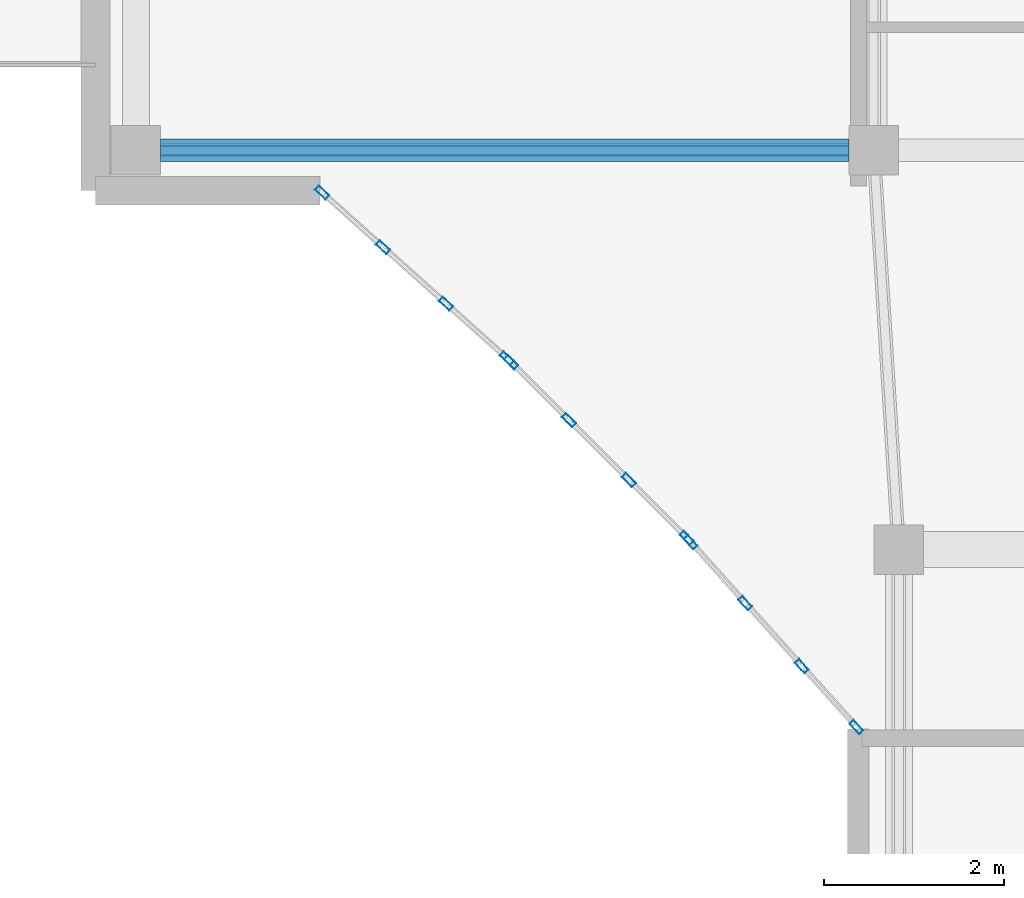
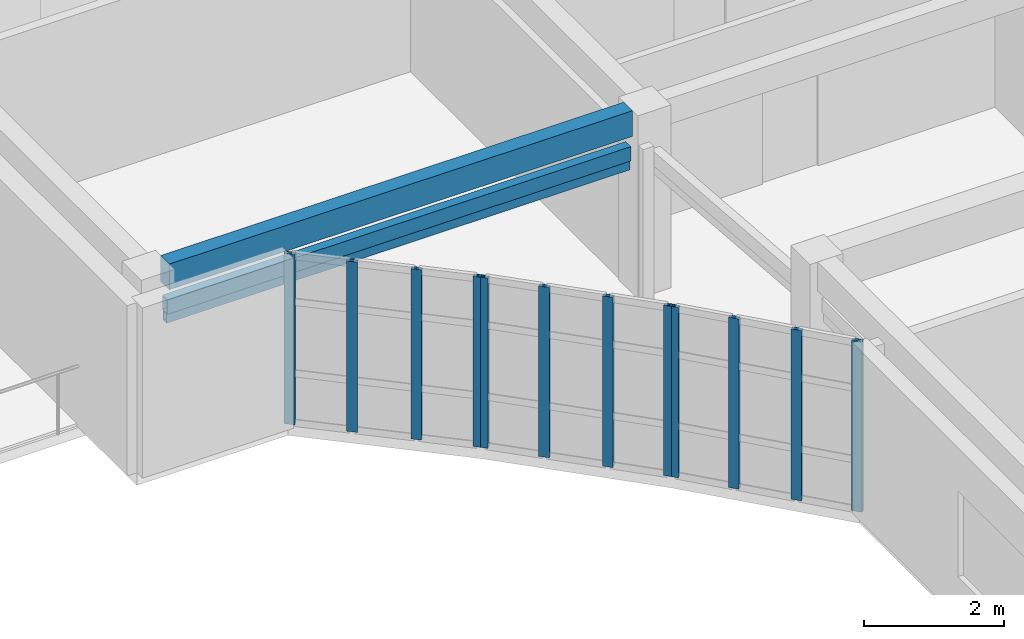
# One storey, part 4 of 54: 14 members, 1 beam, 3 elements without a shape of their own.
"""IFC4 building model written with IfcOpenShell, lengths in metres."""

from ifc_helpers import new_model, si_unit, direction, frame, origin, origin_2d, place, context, subcontext, project, spatial, rectangle, hollow_rectangle, extrude, material, layer, layer_set, material_profile, profile_set, type_object, element, aggregate, save


model = new_model("IFC4")

# Units and contexts
model_context = context("Model", 3, precision=1e-05, world=origin(), true_north=direction((0.0, 1.0)))
body_context = subcontext(model_context, "Body", "Model", "MODEL_VIEW")
ifc_project = project(units=[si_unit("LENGTHUNIT", "METRE"), si_unit("AREAUNIT", "SQUARE_METRE"), si_unit("VOLUMEUNIT", "CUBIC_METRE"), si_unit("PLANEANGLEUNIT", "RADIAN"), si_unit("MASSUNIT", "GRAM", prefix="KILO")], contexts=[model_context])

# Site, building, storey
site_placement = place(None, origin())
site = spatial("IfcSite", under=ifc_project, at=site_placement, CompositionType="ELEMENT")
building_placement = place(site_placement, origin())
building = spatial("IfcBuilding", under=site, at=building_placement, Name="Keldmere Railside Commons", CompositionType="ELEMENT")
storey_placement = place(building_placement, frame((0.0, 0.0, 26.56005859375)))
storey = spatial("IfcBuildingStorey", under=building, at=storey_placement, Name="L08", CompositionType="ELEMENT", Elevation=26.56005859375)

# Member
ifc_material_1 = material(Name="Steel F-36 (S355)", Category="steel")
ifc_material_profile_1 = material_profile(ifc_material_1, hollow_rectangle(XDim=0.14990234375, YDim=0.25, WallThickness=0.010009765625, at=origin_2d()), Name="RHS-250x150x10")
ifc_profile_set_1 = profile_set([ifc_material_profile_1], Name="Steel F-36 (S355)")
member_type_1 = type_object("IfcMemberType", Name="Balcony Continuous Planted Trough RHS250x150", PredefinedType="CHORD", material=ifc_profile_set_1)
member_1_placement = place(storey_placement, frame((40.22509765625, 100.449951171875, 2.4150390625), z_axis=(1.0, 0.0, 0.0), x_axis=(0.0, 1.0, 0.0)))
element("IfcMember", 1, at=member_1_placement, inside=storey, type_object=member_type_1, Name="PLT-1 MEM-BPLT-0869", PredefinedType="CHORD", context=body_context, shape_type="SweptSolid", body=[
    extrude(hollow_rectangle(XDim=0.14990234375, YDim=0.25, WallThickness=0.010009765625, at=origin_2d()), origin(), (0.0, 0.0, 1.0), 7.669921875),
])

# Beam
ifc_material_2 = material(Name="Architectural Precast Concrete H-35 (C35/45)", Category="concrete")
ifc_material_profile_2 = material_profile(ifc_material_2, rectangle(XDim=0.25, YDim=0.449951171875, at=origin_2d()), Name="RC-250x450")
ifc_profile_set_2 = profile_set([ifc_material_profile_2], Name="Architectural Precast Concrete H-35 (C35/45)")
beam_type = type_object("IfcBeamType", Name="Perimeter Precast Spandrel Beam 250x450", PredefinedType="SPANDREL", material=ifc_profile_set_2)
beam_placement = place(storey_placement, frame((40.22509765625, 100.449951171875, 2.974853515625), z_axis=(1.0, 0.0, 0.0), x_axis=(0.0, 1.0, 0.0)))
element("IfcBeam", 2, at=beam_placement, inside=storey, type_object=beam_type, Name="SPB-1 BM-L08-2190", PredefinedType="SPANDREL", context=body_context, shape_type="SweptSolid", body=[
    extrude(rectangle(XDim=0.25, YDim=0.449951171875, at=origin_2d()), origin(), (0.0, 0.0, 1.0), 7.669921875),
])

# Member
ifc_material_profile_3 = material_profile(ifc_material_1, hollow_rectangle(XDim=0.10009765625, YDim=0.159912109375, WallThickness=0.008056640625, at=origin_2d()), Name="RHS-160x100x8")
ifc_profile_set_3 = profile_set([ifc_material_profile_3], Name="Steel F-36 (S355)")
member_type_2 = type_object("IfcMemberType", Name="Solar Brise-Soleil Louvre Fin RHS160x100", PredefinedType="STRUT", material=ifc_profile_set_3)
member_2_placement = place(storey_placement, frame((40.22509765625, 100.449951171875, 2.199951171875), z_axis=(1.0, 0.0, 0.0), x_axis=(0.0, 1.0, 0.0)))
element("IfcMember", 3, at=member_2_placement, inside=storey, type_object=member_type_2, Name="BSF-1 MEM-BSF-0870", PredefinedType="STRUT", context=body_context, shape_type="SweptSolid", body=[
    extrude(hollow_rectangle(XDim=0.10009765625, YDim=0.159912109375, WallThickness=0.008056640625, at=origin_2d()), origin(), (0.0, 0.0, 1.0), 7.669921875),
])

# Curtain wall, members
ifc_material_3 = material(Name="Thermally Broken Aluminium", Category="aluminium")
ifc_layer_1 = layer(ifc_material_3, 0.159912109375, Name="Court Chord Wintergarden CW 4800x2850")
ifc_layer_set_1 = layer_set([ifc_layer_1], Name="Thermally Broken Aluminium")
curtain_wall_type_1 = type_object("IfcCurtainWallType", Name="Court Chord Wintergarden CW 4800x2850", PredefinedType="NOTDEFINED", material=ifc_layer_set_1)
curtain_wall_1_placement = place(storey_placement, origin())
curtain_wall_1 = element("IfcCurtainWall", 4, at=curtain_wall_1_placement, inside=storey, type_object=curtain_wall_type_1, Name="CW-12 CW-L08-076", PredefinedType="NOTDEFINED")
ifc_material_profile_4 = material_profile(ifc_material_3, hollow_rectangle(XDim=0.06494140625, YDim=0.159912109375, WallThickness=0.00390625, at=origin_2d()), Name="ALU-MULL-65x160")
ifc_profile_set_4 = profile_set([ifc_material_profile_4], Name="Thermally Broken Aluminium")
member_type_3 = type_object("IfcMemberType", Name="Unitised Curtain Wall Mullion 65x160", PredefinedType="MULLION", material=ifc_profile_set_4)
member_3_placement = place(storey_placement, frame((44.083740234375, 98.131591796875, 0.0), z_axis=(0.0, 0.0, 1.0), x_axis=(-0.667558519879, -0.744557333277, 0.0)))
member_3 = element("IfcMember", 5, at=member_3_placement, type_object=member_type_3, Name="CW-12 mullion 1", PredefinedType="MULLION", context=body_context, shape_type="SweptSolid", body=[
    extrude(hollow_rectangle(XDim=0.06494140625, YDim=0.159912109375, WallThickness=0.00390625, at=origin_2d()), origin(), (0.0, 0.0, 1.0), 2.97998046875),
])
member_4_placement = place(storey_placement, frame((43.4052734375, 98.739990234375, 0.0), z_axis=(0.0, 0.0, 1.0), x_axis=(-0.667558519879, -0.744557333277, 0.0)))
member_4 = element("IfcMember", 6, at=member_4_placement, type_object=member_type_3, Name="CW-12 mullion 2", PredefinedType="MULLION", context=body_context, shape_type="SweptSolid", body=[
    extrude(hollow_rectangle(XDim=0.06494140625, YDim=0.159912109375, WallThickness=0.00390625, at=origin_2d()), origin(), (0.0, 0.0, 1.0), 2.97998046875),
])
member_5_placement = place(storey_placement, frame((42.70263671875, 99.3701171875, 0.0), z_axis=(0.0, 0.0, 1.0), x_axis=(-0.667558519879, -0.744557333277, 0.0)))
member_5 = element("IfcMember", 7, at=member_5_placement, type_object=member_type_3, Name="CW-12 mullion 3", PredefinedType="MULLION", context=body_context, shape_type="SweptSolid", body=[
    extrude(hollow_rectangle(XDim=0.06494140625, YDim=0.159912109375, WallThickness=0.00390625, at=origin_2d()), origin(), (0.0, 0.0, 1.0), 2.97998046875),
])
member_6_placement = place(storey_placement, frame((42.024169921875, 99.978271484375, 0.0), z_axis=(0.0, 0.0, 1.0), x_axis=(-0.667558519879, -0.744557333277, 0.0)))
member_6 = element("IfcMember", 8, at=member_6_placement, type_object=member_type_3, Name="CW-12 mullion 4", PredefinedType="MULLION", context=body_context, shape_type="SweptSolid", body=[
    extrude(hollow_rectangle(XDim=0.06494140625, YDim=0.159912109375, WallThickness=0.00390625, at=origin_2d()), origin(), (0.0, 0.0, 1.0), 2.97998046875),
])
aggregate(curtain_wall_1, [member_3, member_4, member_5, member_6])

ifc_layer_2 = layer(ifc_material_3, 0.159912109375, Name="Court Chord Wintergarden CW 5400x2850")
ifc_layer_set_2 = layer_set([ifc_layer_2], Name="Thermally Broken Aluminium")
curtain_wall_type_2 = type_object("IfcCurtainWallType", Name="Court Chord Wintergarden CW 5400x2850", PredefinedType="NOTDEFINED", material=ifc_layer_set_2)
curtain_wall_2_placement = place(storey_placement, origin())
curtain_wall_2 = element("IfcCurtainWall", 9, at=curtain_wall_2_placement, inside=storey, type_object=curtain_wall_type_2, Name="CW-13 CW-L08-077", PredefinedType="NOTDEFINED")
member_7_placement = place(storey_placement, frame((46.0869140625, 96.130859375, 0.0), z_axis=(0.0, 0.0, 1.0), x_axis=(-0.707106781187, -0.707106781187, 0.0)))
member_7 = element("IfcMember", 10, at=member_7_placement, type_object=member_type_3, Name="CW-13 mullion 1", PredefinedType="MULLION", context=body_context, shape_type="SweptSolid", body=[
    extrude(hollow_rectangle(XDim=0.06494140625, YDim=0.159912109375, WallThickness=0.00390625, at=origin_2d()), origin(), (0.0, 0.0, 1.0), 2.97998046875),
])
member_8_placement = place(storey_placement, frame((45.442626953125, 96.775390625, 0.0), z_axis=(0.0, 0.0, 1.0), x_axis=(-0.707106781187, -0.707106781187, 0.0)))
member_8 = element("IfcMember", 11, at=member_8_placement, type_object=member_type_3, Name="CW-13 mullion 2", PredefinedType="MULLION", context=body_context, shape_type="SweptSolid", body=[
    extrude(hollow_rectangle(XDim=0.06494140625, YDim=0.159912109375, WallThickness=0.00390625, at=origin_2d()), origin(), (0.0, 0.0, 1.0), 2.97998046875),
])
member_9_placement = place(storey_placement, frame((44.775390625, 97.442626953125, 0.0), z_axis=(0.0, 0.0, 1.0), x_axis=(-0.707106781187, -0.707106781187, 0.0)))
member_9 = element("IfcMember", 12, at=member_9_placement, type_object=member_type_3, Name="CW-13 mullion 3", PredefinedType="MULLION", context=body_context, shape_type="SweptSolid", body=[
    extrude(hollow_rectangle(XDim=0.06494140625, YDim=0.159912109375, WallThickness=0.00390625, at=origin_2d()), origin(), (0.0, 0.0, 1.0), 2.97998046875),
])
member_10_placement = place(storey_placement, frame((44.130859375, 98.0869140625, 0.0), z_axis=(0.0, 0.0, 1.0), x_axis=(-0.707106781187, -0.707106781187, 0.0)))
member_10 = element("IfcMember", 13, at=member_10_placement, type_object=member_type_3, Name="CW-13 mullion 4", PredefinedType="MULLION", context=body_context, shape_type="SweptSolid", body=[
    extrude(hollow_rectangle(XDim=0.06494140625, YDim=0.159912109375, WallThickness=0.00390625, at=origin_2d()), origin(), (0.0, 0.0, 1.0), 2.97998046875),
])
aggregate(curtain_wall_2, [member_7, member_8, member_9, member_10])

curtain_wall_3_placement = place(storey_placement, origin())
curtain_wall_3 = element("IfcCurtainWall", 14, at=curtain_wall_3_placement, inside=storey, type_object=curtain_wall_type_1, Name="CW-12 CW-L08-078", PredefinedType="NOTDEFINED")
member_11_placement = place(storey_placement, frame((47.978271484375, 94.024169921875, 0.0), z_axis=(0.0, 0.0, 1.0), x_axis=(-0.744557333277, -0.667558519879, 0.0)))
member_11 = element("IfcMember", 15, at=member_11_placement, type_object=member_type_3, Name="CW-12 mullion 1", PredefinedType="MULLION", context=body_context, shape_type="SweptSolid", body=[
    extrude(hollow_rectangle(XDim=0.06494140625, YDim=0.159912109375, WallThickness=0.00390625, at=origin_2d()), origin(), (0.0, 0.0, 1.0), 2.97998046875),
])
member_12_placement = place(storey_placement, frame((47.3701171875, 94.70263671875, 0.0), z_axis=(0.0, 0.0, 1.0), x_axis=(-0.744557333277, -0.667558519879, 0.0)))
member_12 = element("IfcMember", 16, at=member_12_placement, type_object=member_type_3, Name="CW-12 mullion 2", PredefinedType="MULLION", context=body_context, shape_type="SweptSolid", body=[
    extrude(hollow_rectangle(XDim=0.06494140625, YDim=0.159912109375, WallThickness=0.00390625, at=origin_2d()), origin(), (0.0, 0.0, 1.0), 2.97998046875),
])
member_13_placement = place(storey_placement, frame((46.739990234375, 95.4052734375, 0.0), z_axis=(0.0, 0.0, 1.0), x_axis=(-0.744557333277, -0.667558519879, 0.0)))
member_13 = element("IfcMember", 17, at=member_13_placement, type_object=member_type_3, Name="CW-12 mullion 3", PredefinedType="MULLION", context=body_context, shape_type="SweptSolid", body=[
    extrude(hollow_rectangle(XDim=0.06494140625, YDim=0.159912109375, WallThickness=0.00390625, at=origin_2d()), origin(), (0.0, 0.0, 1.0), 2.97998046875),
])
member_14_placement = place(storey_placement, frame((46.131591796875, 96.083740234375, 0.0), z_axis=(0.0, 0.0, 1.0), x_axis=(-0.744557333277, -0.667558519879, 0.0)))
member_14 = element("IfcMember", 18, at=member_14_placement, type_object=member_type_3, Name="CW-12 mullion 4", PredefinedType="MULLION", context=body_context, shape_type="SweptSolid", body=[
    extrude(hollow_rectangle(XDim=0.06494140625, YDim=0.159912109375, WallThickness=0.00390625, at=origin_2d()), origin(), (0.0, 0.0, 1.0), 2.97998046875),
])
aggregate(curtain_wall_3, [member_11, member_12, member_13, member_14])

save(model, "model.ifc")
